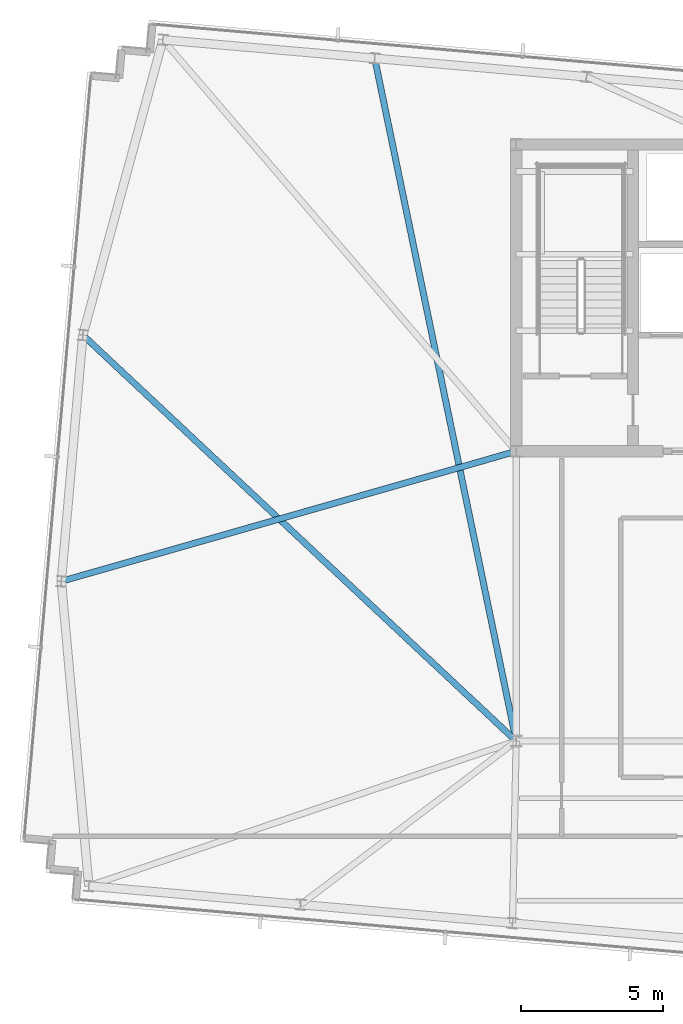
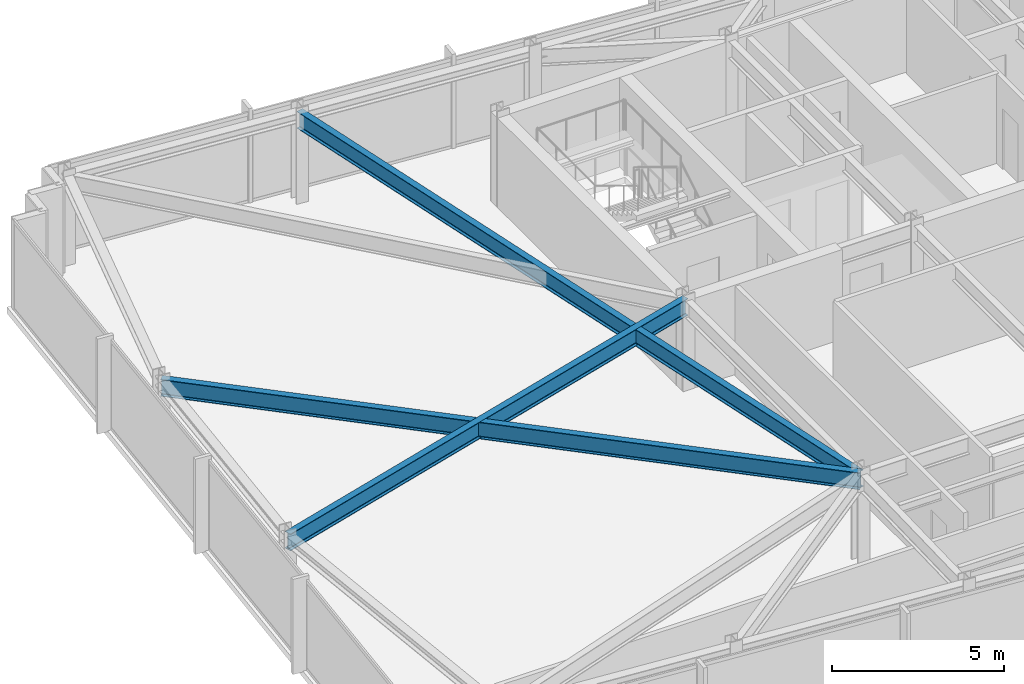
# One storey, part 10 of 32: 3 beams.
"""IFC4 building model written with IfcOpenShell, lengths in metres."""

import ifcopenshell
import ifcopenshell.guid

model = None  # the IFC model being written
_history = None  # IfcOwnerHistory: only IFC2X3 demands one
_inside = {}  # id of a spatial element -> (the spatial element, [elements in it])
_under = {}  # id of a project, library or spatial element -> (it, [spatial elements below it])
_declared = {}  # id of a project -> (the project, [libraries it declares])
_typed = {}  # id of a type object -> (the type object, [elements of that type])
_made_of = {}  # id of a material, layer set ... -> (it, [elements and type objects made of it])


def new_model(schema):
    """Start an empty IFC model of exactly this schema.

    Asked for "IFC4X3", IfcOpenShell would pick the latest addendum, in which some entities
    have other attributes; the version numbers below select the first issue.
    IFC2X3 requires an IfcOwnerHistory on every rooted entity: one is made here for all.
    """
    global model, _history
    if schema == "IFC4X3":
        model = ifcopenshell.file(schema_version=(4, 3, 0, 0))
    else:
        model = ifcopenshell.file(schema=schema)
    _inside.clear()
    _under.clear()
    _declared.clear()
    _typed.clear()
    _made_of.clear()
    _history = None
    if model.schema == "IFC2X3":
        org = make("IfcOrganization", Name="unknown")
        user = make(
            "IfcPersonAndOrganization",
            ThePerson=make("IfcPerson", FamilyName="unknown"),
            TheOrganization=org,
        )
        app = make(
            "IfcApplication",
            ApplicationDeveloper=org,
            Version="unknown",
            ApplicationFullName="unknown",
            ApplicationIdentifier="unknown",
        )
        _history = make(
            "IfcOwnerHistory",
            OwningUser=user,
            OwningApplication=app,
            ChangeAction="ADDED",
            CreationDate=0,
        )
    return model


def make(cls, **values):
    """One entity of the class cls with the attributes given. An attribute that is None is left unset."""
    return model.create_entity(
        cls, **{name: value for name, value in values.items() if value is not None}
    )


def rooted(cls, **values):
    """An entity with a GlobalId (a new one), such as an element, a storey or a relation."""
    return make(cls, GlobalId=ifcopenshell.guid.new(), OwnerHistory=_history, **values)


def si_unit(unit_type, name, prefix=None):
    """IfcSIUnit, for example si_unit("LENGTHUNIT", "METRE", prefix="MILLI")."""
    return make("IfcSIUnit", UnitType=unit_type, Prefix=prefix, Name=name)


def assignment(units):
    """IfcUnitAssignment: the units of a project."""
    return None if units is None else make("IfcUnitAssignment", Units=units)


def point(xyz):
    """IfcCartesianPoint."""
    return None if xyz is None else make("IfcCartesianPoint", Coordinates=xyz)


def direction(xyz):
    """IfcDirection."""
    return None if xyz is None else make("IfcDirection", DirectionRatios=xyz)


def frame(location, z_axis=None, x_axis=None):
    """IfcAxis2Placement3D, a coordinate frame: its origin and axes. An axis left out is left unset."""
    return make(
        "IfcAxis2Placement3D",
        Location=point(location),
        Axis=direction(z_axis),
        RefDirection=direction(x_axis),
    )


def frame_2d(location, x_axis=None):
    """IfcAxis2Placement2D, a coordinate frame in the plane: its origin and x axis."""
    return make(
        "IfcAxis2Placement2D", Location=point(location), RefDirection=direction(x_axis)
    )


def origin():
    """The frame at (0, 0, 0) with its axes left unset."""
    return frame((0.0, 0.0, 0.0))


def origin_2d():
    """The frame at (0, 0) in the plane with its x axis left unset."""
    return frame_2d((0.0, 0.0))


def place(relative_to, where):
    """IfcLocalPlacement: puts the frame where relative to a parent placement (None: the world)."""
    return make(
        "IfcLocalPlacement", PlacementRelTo=relative_to, RelativePlacement=where
    )


def context(
    kind, dimensions, precision=None, world=None, true_north=None, identifier=None
):
    """IfcGeometricRepresentationContext, for example the 3D "Model" context."""
    return make(
        "IfcGeometricRepresentationContext",
        ContextIdentifier=identifier,
        ContextType=kind,
        CoordinateSpaceDimension=dimensions,
        Precision=precision,
        WorldCoordinateSystem=world,
        TrueNorth=true_north,
    )


def subcontext(parent, identifier, kind, view, scale=None):
    """IfcGeometricRepresentationSubContext, for example "Body" below "Model"."""
    return make(
        "IfcGeometricRepresentationSubContext",
        ContextIdentifier=identifier,
        ContextType=kind,
        ParentContext=parent,
        TargetScale=scale,
        TargetView=view,
    )


def project(units=None, contexts=None):
    """IfcProject with its units and contexts."""
    return rooted(
        "IfcProject",
        Name="project",
        RepresentationContexts=contexts,
        UnitsInContext=assignment(units),
    )


def spatial(cls, under=None, at=None, **own):
    """A site, building, storey or space (cls), placed at a placement, below another one or the project."""
    s = rooted(cls, ObjectPlacement=at, **own)
    if under is not None:
        _under.setdefault(under.id(), (under, []))[1].append(s)
    return s


def profile(cls, at=None, kind="AREA", **sizes):
    """A parametric profile (cls). Its sizes go by their IFC names, for example OverallWidth=200.0."""
    return make(cls, ProfileType=kind, Position=at, **sizes)


def i_section(**sizes):
    """IfcIShapeProfileDef."""
    return profile("IfcIShapeProfileDef", **sizes)


def extrude(swept, where, along, depth):
    """IfcExtrudedAreaSolid: the profile swept, set in the frame where, extruded along a direction by depth."""
    return make(
        "IfcExtrudedAreaSolid",
        SweptArea=swept,
        Position=where,
        ExtrudedDirection=direction(along),
        Depth=depth,
    )


def shape(context_of_items, identifier, shape_type, items):
    """IfcShapeRepresentation: the items that make up one representation, for example the "Body"."""
    return make(
        "IfcShapeRepresentation",
        ContextOfItems=context_of_items,
        RepresentationIdentifier=identifier,
        RepresentationType=shape_type,
        Items=items,
    )


def material(Name=None, Category=None):
    """IfcMaterial."""
    return make("IfcMaterial", Name=Name, Category=Category)


def material_profile(
    of_material, cross_section, Name=None, Category=None, Priority=None
):
    """IfcMaterialProfile: a cross section and its material."""
    return make(
        "IfcMaterialProfile",
        Name=Name,
        Material=of_material,
        Profile=cross_section,
        Priority=Priority,
        Category=Category,
    )


def profile_set(profiles, Name=None, composite=None):
    """IfcMaterialProfileSet."""
    return make(
        "IfcMaterialProfileSet",
        Name=Name,
        MaterialProfiles=profiles,
        CompositeProfile=composite,
    )


def made_of(thing, what):
    """Note that an element or type object is made of a material, layer set ...; save() writes the relation."""
    if what is not None:
        _made_of.setdefault(what.id(), (what, []))[1].append(thing)
    return thing


def type_object(cls, material=None, **own):
    """A type object (cls), such as IfcWallType, which elements share."""
    return made_of(rooted(cls, **own), material)


def element(
    cls,
    number,
    at=None,
    inside=None,
    cuts=None,
    type_object=None,
    material=None,
    context=None,
    identifier="Body",
    shape_type=None,
    held_by="IfcProductDefinitionShape",
    body=None,
    shapes=None,
    **own,
):
    """One element of the class cls, such as IfcWall. Its Tag is "e" and its number.

    at: its placement. inside: the storey or other place that contains it. cuts: it is an
    opening in that element (IfcRelVoidsElement). A single representation is given by context,
    identifier, shape_type and body (its items); several are given by shapes. held_by: the class
    of the entity that holds the representations. save() writes the other relations.
    """
    e = rooted(cls, Tag="e%d" % number, ObjectPlacement=at, **own)
    if body is not None:
        shapes = [shape(context, identifier, shape_type, body)]
    if shapes is not None:
        e.Representation = make(held_by, Representations=shapes)
    if inside is not None:
        _inside.setdefault(inside.id(), (inside, []))[1].append(e)
    if cuts is not None:
        rooted(
            "IfcRelVoidsElement", RelatingBuildingElement=cuts, RelatedOpeningElement=e
        )
    if type_object is not None:
        _typed.setdefault(type_object.id(), (type_object, []))[1].append(e)
    return made_of(e, material)


def aggregate(whole, parts):
    """IfcRelAggregates: a whole, such as a stair, and the parts it consists of."""
    return rooted("IfcRelAggregates", RelatingObject=whole, RelatedObjects=parts)


def save(model, path):
    """Write the relations noted so far, then the file.

    IfcRelAggregates (storeys below a building ...), IfcRelContainedInSpatialStructure (elements
    in a storey), IfcRelDefinesByType, IfcRelAssociatesMaterial and IfcRelDeclares: one each for
    every whole, place, type object, material and project.
    """
    for whole, parts in _under.values():
        aggregate(whole, parts)
    for where, things in _inside.values():
        rooted(
            "IfcRelContainedInSpatialStructure",
            RelatedElements=things,
            RelatingStructure=where,
        )
    for kind, things in _typed.values():
        rooted("IfcRelDefinesByType", RelatedObjects=things, RelatingType=kind)
    for what, things in _made_of.values():
        rooted("IfcRelAssociatesMaterial", RelatedObjects=things, RelatingMaterial=what)
    for by, libraries in _declared.values():
        rooted("IfcRelDeclares", RelatingContext=by, RelatedDefinitions=libraries)
    model.write(path)


model = new_model("IFC4")

# Units and contexts
model_context = context("Model", 3, precision=1e-05, world=origin(), true_north=direction((0.0, 1.0)))
body_context = subcontext(model_context, "Body", "Model", "MODEL_VIEW")
ifc_project = project(units=[si_unit("LENGTHUNIT", "METRE"), si_unit("AREAUNIT", "SQUARE_METRE"), si_unit("VOLUMEUNIT", "CUBIC_METRE"), si_unit("PLANEANGLEUNIT", "RADIAN"), si_unit("MASSUNIT", "GRAM", prefix="KILO")], contexts=[model_context])

# Site, building, storey
site_placement = place(None, origin())
site = spatial("IfcSite", under=ifc_project, at=site_placement, CompositionType="ELEMENT")
building_placement = place(site_placement, origin())
building = spatial("IfcBuilding", under=site, at=building_placement, Name="Yelkora Congress Tower", CompositionType="ELEMENT")
storey_placement = place(building_placement, frame((0.0, 0.0, 276.10009765625)))
storey = spatial("IfcBuildingStorey", under=building, at=storey_placement, Name="L77", CompositionType="ELEMENT", Elevation=276.10009765625)

# Beams
ifc_material = material(Name="Steel S355J2", Category="steel")
ifc_material_profile = material_profile(ifc_material, i_section(OverallWidth=0.219970703125, OverallDepth=0.60009765625, WebThickness=0.011962890625, FlangeThickness=0.01904296875, FilletRadius=0.02392578125, at=origin_2d()), Name="IPE 600")
ifc_profile_set = profile_set([ifc_material_profile], Name="Steel S355J2")
beam_type = type_object("IfcBeamType", Name="BM-GIRD-IPE600", PredefinedType="BEAM", material=ifc_profile_set)
beam_1_placement = place(storey_placement, frame((18.058837890625, 49.231689453125, 2.8798828125), z_axis=(0.202961834344, -0.979186649112, 0.0), x_axis=(0.979186649112, 0.202961834344, 0.0)))
element("IfcBeam", 1, at=beam_1_placement, inside=storey, type_object=beam_type, Name="L77 Primary Frame Girder N02", PredefinedType="BEAM", context=body_context, shape_type="SweptSolid", body=[
    extrude(i_section(OverallWidth=0.219970703125, OverallDepth=0.60009765625, WebThickness=0.011962890625, FlangeThickness=0.01904296875, FilletRadius=0.02392578125, at=origin_2d()), origin(), (0.0, 0.0, 1.0), 24.54248046875),
])
beam_2_placement = place(storey_placement, frame((7.029052734375, 30.822998046875, 2.8798828125), z_axis=(0.961486871307, 0.274850861932, 0.0), x_axis=(-0.274850861932, 0.961486871307, 0.0)))
element("IfcBeam", 2, at=beam_2_placement, inside=storey, type_object=beam_type, Name="L77 Primary Frame Girder W01", PredefinedType="BEAM", context=body_context, shape_type="SweptSolid", body=[
    extrude(i_section(OverallWidth=0.219970703125, OverallDepth=0.60009765625, WebThickness=0.011962890625, FlangeThickness=0.01904296875, FilletRadius=0.02392578125, at=origin_2d()), origin(), (0.0, 0.0, 1.0), 16.65234375),
])
beam_3_placement = place(storey_placement, frame((7.787353515625, 39.489990234375, 2.8798828125), z_axis=(0.729760461145, -0.683702910152, 0.0), x_axis=(0.683702910152, 0.729760461145, 0.0)))
element("IfcBeam", 3, at=beam_3_placement, inside=storey, type_object=beam_type, Name="L77 Primary Frame Girder W02", PredefinedType="BEAM", context=body_context, shape_type="SweptSolid", body=[
    extrude(i_section(OverallWidth=0.219970703125, OverallDepth=0.60009765625, WebThickness=0.011962890625, FlangeThickness=0.01904296875, FilletRadius=0.02392578125, at=origin_2d()), origin(), (0.0, 0.0, 1.0), 20.90087890625),
])

save(model, "model.ifc")
